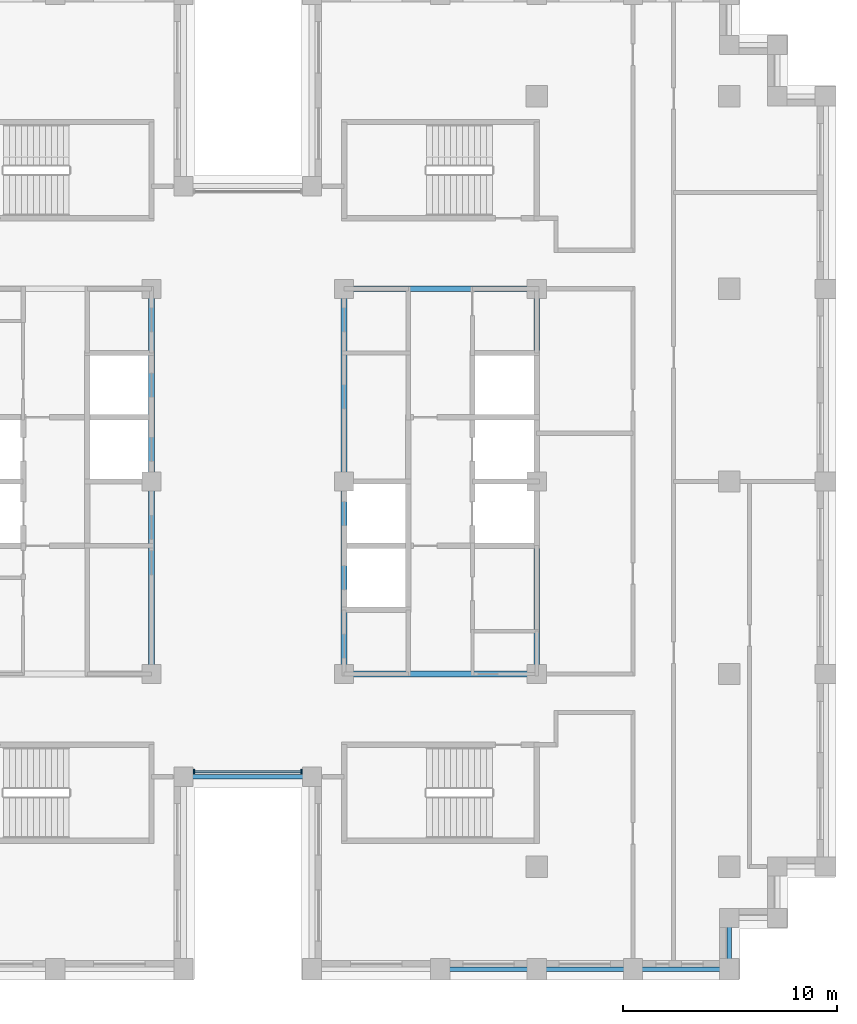
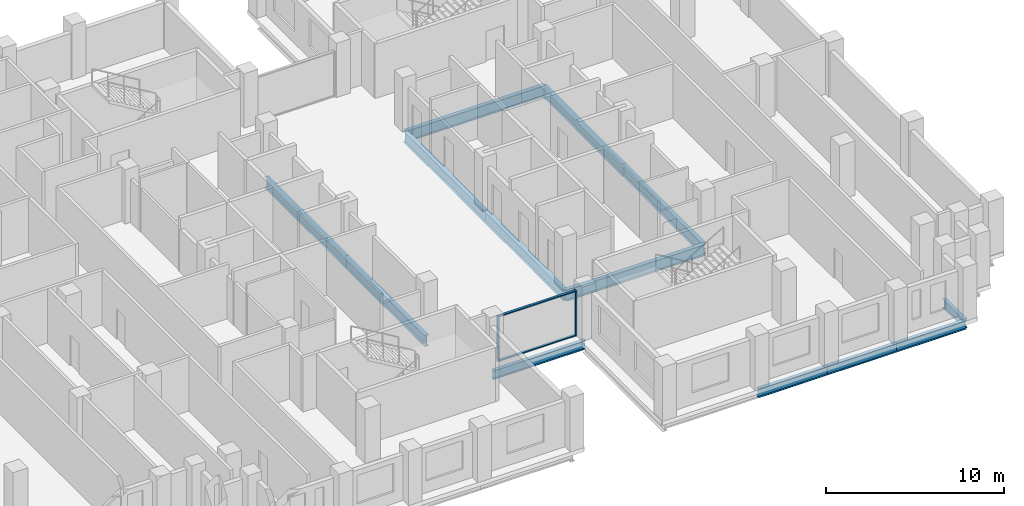
# One storey, part 2 of 15: 13 beams, 4 members, 1 element without a shape of its own.
"""IFC4 building model written with IfcOpenShell, lengths in metres."""

from ifc_helpers import new_model, si_unit, direction, frame, origin, origin_2d, place, context, subcontext, project, spatial, rectangle, i_section, extrude, material, layer, layer_set, material_profile, profile_set, type_object, element, aggregate, save


model = new_model("IFC4")

# Units and contexts
model_context = context("Model", 3, precision=1e-05, world=origin(), true_north=direction((0.0, 1.0)))
body_context = subcontext(model_context, "Body", "Model", "MODEL_VIEW")
ifc_project = project(units=[si_unit("LENGTHUNIT", "METRE"), si_unit("AREAUNIT", "SQUARE_METRE"), si_unit("VOLUMEUNIT", "CUBIC_METRE"), si_unit("PLANEANGLEUNIT", "RADIAN"), si_unit("MASSUNIT", "GRAM", prefix="KILO")], contexts=[model_context])

# Site, building, storey
site_placement = place(None, origin())
site = spatial("IfcSite", under=ifc_project, at=site_placement, CompositionType="ELEMENT")
building_placement = place(site_placement, origin())
building = spatial("IfcBuilding", under=site, at=building_placement, Name="Corbelhall Arena Tower", CompositionType="ELEMENT")
storey_placement = place(building_placement, frame((0.0, 0.0, 220.0)))
storey = spatial("IfcBuildingStorey", under=building, at=storey_placement, Name="L46", CompositionType="ELEMENT", Elevation=220.0)

# Curtain wall, members
ifc_material_1 = material(Name="Aluminium black anodised", Category="aluminium")
ifc_layer = layer(ifc_material_1, 0.199951171875)
ifc_layer_set = layer_set([ifc_layer], Name="EV-CW1 Slot back wall")
curtain_wall_type = type_object("IfcCurtainWallType", Name="EV-CW1 Slot back wall", PredefinedType="NOTDEFINED", material=ifc_layer_set)
curtain_wall_placement = place(storey_placement, origin())
curtain_wall = element("IfcCurtainWall", 1, at=curtain_wall_placement, inside=storey, type_object=curtain_wall_type, Name="Curtain wall CW1", PredefinedType="NOTDEFINED")
ifc_material_profile_1 = material_profile(ifc_material_1, rectangle(XDim=0.199951171875, YDim=0.074951171875, at=origin_2d()))
ifc_profile_set_1 = profile_set([ifc_material_profile_1], Name="Aluminium black anodised")
member_type_1 = type_object("IfcMemberType", Name="EV-CW1-MULLION", PredefinedType="MULLION", material=ifc_profile_set_1)
member_1_placement = place(storey_placement, frame((-2.512451171875, -13.550048828125, 0.0), z_axis=(0.0, 0.0, 1.0), x_axis=(0.0, 1.0, 0.0)))
member_1 = element("IfcMember", 2, at=member_1_placement, type_object=member_type_1, Name="CW1 mullion 1", PredefinedType="MULLION", context=body_context, shape_type="SweptSolid", body=[
    extrude(rectangle(XDim=0.199951171875, YDim=0.074951171875, at=origin_2d()), origin(), (0.0, 0.0, 1.0), 3.1201171875),
])
member_2_placement = place(storey_placement, frame((2.512451171875, -13.550048828125, 0.0), z_axis=(0.0, 0.0, 1.0), x_axis=(0.0, 1.0, 0.0)))
member_2 = element("IfcMember", 3, at=member_2_placement, type_object=member_type_1, Name="CW1 mullion 2", PredefinedType="MULLION", context=body_context, shape_type="SweptSolid", body=[
    extrude(rectangle(XDim=0.199951171875, YDim=0.074951171875, at=origin_2d()), origin(), (0.0, 0.0, 1.0), 3.1201171875),
])
ifc_material_profile_2 = material_profile(ifc_material_1, rectangle(XDim=0.14990234375, YDim=0.074951171875, at=origin_2d()))
ifc_profile_set_2 = profile_set([ifc_material_profile_2], Name="Aluminium black anodised")
member_type_2 = type_object("IfcMemberType", Name="EV-CW1-TRANSOM", PredefinedType="USERDEFINED", material=ifc_profile_set_2)
member_3_placement = place(storey_placement, frame((-2.47509765625, -13.550048828125, 0.03759765625), z_axis=(1.0, 0.0, 0.0), x_axis=(0.0, 1.0, 0.0)))
member_3 = element("IfcMember", 4, at=member_3_placement, type_object=member_type_2, Name="CW1 transom 1.1", ObjectType="transom", PredefinedType="USERDEFINED", context=body_context, shape_type="SweptSolid", body=[
    extrude(rectangle(XDim=0.14990234375, YDim=0.074951171875, at=origin_2d()), origin(), (0.0, 0.0, 1.0), 4.9501953125),
])
member_4_placement = place(storey_placement, frame((-2.47509765625, -13.550048828125, 3.08251953125), z_axis=(1.0, 0.0, 0.0), x_axis=(0.0, 1.0, 0.0)))
member_4 = element("IfcMember", 5, at=member_4_placement, type_object=member_type_2, Name="CW1 transom 1.2", ObjectType="transom", PredefinedType="USERDEFINED", context=body_context, shape_type="SweptSolid", body=[
    extrude(rectangle(XDim=0.14990234375, YDim=0.074951171875, at=origin_2d()), origin(), (0.0, 0.0, 1.0), 4.9501953125),
])
aggregate(curtain_wall, [member_1, member_2, member_3, member_4])

# Beams
ifc_material_2 = material(Name="Steel ASTM A992 Gr50", Category="steel")
ifc_material_profile_3 = material_profile(ifc_material_2, i_section(OverallWidth=0.2666015625, OverallDepth=0.761962890625, WebThickness=0.014404296875, FlangeThickness=0.021484375, at=origin_2d()))
ifc_profile_set_3 = profile_set([ifc_material_profile_3], Name="Steel ASTM A992 Gr50")
beam_type_1 = type_object("IfcBeamType", Name="ST-BEAM-W30x116", PredefinedType="BEAM", material=ifc_profile_set_3)
for number, where, z_axis, x_axis, name in (
    (6, (-4.5, -9.0, -0.660888671875), (0.0, 1.0, 0.0), (-1.0, 0.0, 0.0), "Beam CEW 3"),
    (7, (-4.5, 0.0, -0.660888671875), (0.0, 1.0, 0.0), (-1.0, 0.0, 0.0), "Beam CEW 4"),
    (8, (4.5, -9.0, -0.660888671875), (0.0, 1.0, 0.0), (-1.0, 0.0, 0.0), "Beam CEE 7"),
    (9, (4.5, 0.0, -0.660888671875), (0.0, 1.0, 0.0), (-1.0, 0.0, 0.0), "Beam CEE 8"),
    (10, (13.5, -9.0, -0.660888671875), (0.0, 1.0, 0.0), (-1.0, 0.0, 0.0), "Beam CEE 9"),
    (11, (13.5, 0.0, -0.660888671875), (0.0, 1.0, 0.0), (-1.0, 0.0, 0.0), "Beam CEE 10"),
    (12, (4.5, -9.0, -0.660888671875), (1.0, 0.0, 0.0), (0.0, 1.0, 0.0), "Beam CEE 11"),
    (13, (4.5, 9.0, -0.660888671875), (1.0, 0.0, 0.0), (0.0, 1.0, 0.0), "Beam CEE 12"),
):
    element("IfcBeam", number, at=place(storey_placement, frame(where, z_axis=z_axis, x_axis=x_axis)), inside=storey, type_object=beam_type_1, Name=name, PredefinedType="BEAM", context=body_context, shape_type="SweptSolid", body=[
        extrude(i_section(OverallWidth=0.2666015625, OverallDepth=0.761962890625, WebThickness=0.014404296875, FlangeThickness=0.021484375, at=origin_2d()), origin(), (0.0, 0.0, 1.0), 9.0),
    ])
ifc_material_profile_4 = material_profile(ifc_material_2, i_section(OverallWidth=0.228271484375, OverallDepth=0.607177734375, WebThickness=0.01123046875, FlangeThickness=0.017333984375, at=origin_2d()))
ifc_profile_set_4 = profile_set([ifc_material_profile_4], Name="Steel ASTM A992 Gr50")
beam_type_2 = type_object("IfcBeamType", Name="ST-SPANDREL-W24x76", PredefinedType="SPANDREL", material=ifc_profile_set_4)
for number, where, z_axis, x_axis, name in (
    (14, (13.5, -22.800048828125, -0.58349609375), (-1.0, 0.0, 0.0), (0.0, -1.0, 0.0), "Beam SP 25"),
    (15, (18.0, -22.800048828125, -0.58349609375), (-1.0, 0.0, 0.0), (0.0, -1.0, 0.0), "Beam SP 26"),
    (16, (22.5, -22.800048828125, -0.58349609375), (-1.0, 0.0, 0.0), (0.0, -1.0, 0.0), "Beam SP 27"),
):
    element("IfcBeam", number, at=place(storey_placement, frame(where, z_axis=z_axis, x_axis=x_axis)), inside=storey, type_object=beam_type_2, Name=name, PredefinedType="SPANDREL", context=body_context, shape_type="SweptSolid", body=[
        extrude(i_section(OverallWidth=0.228271484375, OverallDepth=0.607177734375, WebThickness=0.01123046875, FlangeThickness=0.017333984375, at=origin_2d()), origin(), (0.0, 0.0, 1.0), 4.5),
    ])
beam_1_placement = place(storey_placement, frame((3.0, -13.800048828125, -0.58349609375), z_axis=(-1.0, 0.0, 0.0), x_axis=(0.0, -1.0, 0.0)))
element("IfcBeam", 17, at=beam_1_placement, inside=storey, type_object=beam_type_2, Name="Beam SP 37", PredefinedType="SPANDREL", context=body_context, shape_type="SweptSolid", body=[
    extrude(i_section(OverallWidth=0.228271484375, OverallDepth=0.607177734375, WebThickness=0.01123046875, FlangeThickness=0.017333984375, at=origin_2d()), origin(), (0.0, 0.0, 1.0), 6.0),
])
beam_2_placement = place(storey_placement, frame((22.5, -20.39990234375, -0.58349609375), z_axis=(0.0, -1.0, 0.0), x_axis=(1.0, 0.0, 0.0)))
element("IfcBeam", 18, at=beam_2_placement, inside=storey, type_object=beam_type_2, Name="Beam SP 45", PredefinedType="SPANDREL", context=body_context, shape_type="SweptSolid", body=[
    extrude(i_section(OverallWidth=0.228271484375, OverallDepth=0.607177734375, WebThickness=0.01123046875, FlangeThickness=0.017333984375, at=origin_2d()), origin(), (0.0, 0.0, 1.0), 2.400146484375),
])

save(model, "model.ifc")
